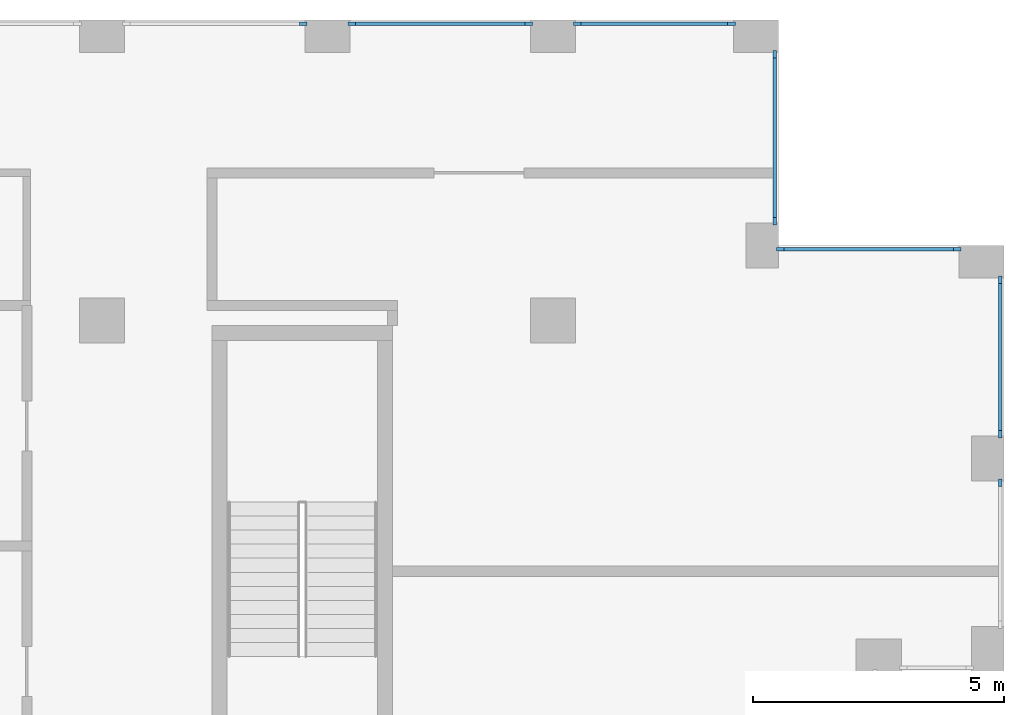
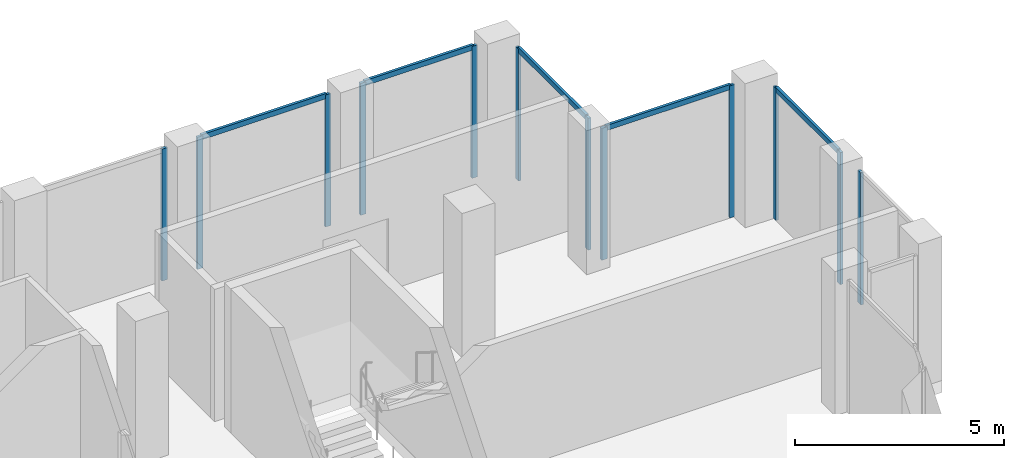
# One storey, part 9 of 15: 17 members, 7 elements without a shape of their own.
"""IFC4 building model written with IfcOpenShell, lengths in metres."""

from ifc_helpers import new_model, si_unit, direction, frame, origin, origin_2d, place, context, subcontext, project, spatial, rectangle, extrude, material, layer, layer_set, material_profile, profile_set, type_object, element, aggregate, save


model = new_model("IFC4")

# Units and contexts
model_context = context("Model", 3, precision=1e-05, world=origin(), true_north=direction((0.0, 1.0)))
body_context = subcontext(model_context, "Body", "Model", "MODEL_VIEW")
ifc_project = project(units=[si_unit("LENGTHUNIT", "METRE"), si_unit("AREAUNIT", "SQUARE_METRE"), si_unit("VOLUMEUNIT", "CUBIC_METRE"), si_unit("PLANEANGLEUNIT", "RADIAN"), si_unit("MASSUNIT", "GRAM", prefix="KILO")], contexts=[model_context])

# Site, building, storey
site_placement = place(None, origin())
site = spatial("IfcSite", under=ifc_project, at=site_placement, CompositionType="ELEMENT")
building_placement = place(site_placement, origin())
building = spatial("IfcBuilding", under=site, at=building_placement, Name="Brigalow Station Residences", CompositionType="ELEMENT")
storey_placement = place(building_placement, frame((0.0, 0.0, 235.800048828125)))
storey = spatial("IfcBuildingStorey", under=building, at=storey_placement, Name="L68", CompositionType="ELEMENT", Elevation=235.800048828125)

# Curtain wall, member
ifc_material_1 = material(Name="Aluminium", Category="aluminium")
ifc_layer = layer(ifc_material_1, 0.14990234375)
ifc_layer_set = layer_set([ifc_layer], Name="CROWN CURTAIN WALL")
curtain_wall_type = type_object("IfcCurtainWallType", Name="CROWN CURTAIN WALL", PredefinedType="NOTDEFINED", material=ifc_layer_set)
curtain_wall_1_placement = place(storey_placement, origin())
curtain_wall_1 = element("IfcCurtainWall", 1, at=curtain_wall_1_placement, inside=storey, type_object=curtain_wall_type, Name="L68/cw/crown-W-L68-16-15", PredefinedType="NOTDEFINED")
ifc_material_2 = material(Name="Aluminium", Category="aluminium")
ifc_material_profile_1 = material_profile(ifc_material_2, rectangle(XDim=0.074951171875, YDim=0.14990234375, at=origin_2d()), Name="CROWN MULLION 75x150")
ifc_profile_set_1 = profile_set([ifc_material_profile_1], Name="Aluminium")
member_type_1 = type_object("IfcMemberType", Name="CROWN MULLION 75x150", PredefinedType="MULLION", material=ifc_profile_set_1)
member_1_placement = place(storey_placement, frame((71.925048828125, 32.262451171875, 0.0), z_axis=(0.0, 0.0, 1.0), x_axis=(-1.0, 0.0, 0.0)))
member_1 = element("IfcMember", 2, at=member_1_placement, type_object=member_type_1, Name="L68/cw/crown-W-L68-16-15/M01", PredefinedType="MULLION", context=body_context, shape_type="SweptSolid", body=[
    extrude(rectangle(XDim=0.074951171875, YDim=0.14990234375, at=origin_2d()), origin(), (0.0, 0.0, 1.0), 3.849853515625),
])
aggregate(curtain_wall_1, [member_1])

# Curtain wall, members
curtain_wall_2_placement = place(storey_placement, origin())
curtain_wall_2 = element("IfcCurtainWall", 3, at=curtain_wall_2_placement, inside=storey, type_object=curtain_wall_type, Name="L68/cw/crown-W-L68-16-16", PredefinedType="NOTDEFINED")
member_2_placement = place(storey_placement, frame((71.925048828125, 33.237548828125, 0.0), z_axis=(0.0, 0.0, 1.0), x_axis=(-1.0, 0.0, 0.0)))
member_2 = element("IfcMember", 4, at=member_2_placement, type_object=member_type_1, Name="L68/cw/crown-W-L68-16-16/M00", PredefinedType="MULLION", context=body_context, shape_type="SweptSolid", body=[
    extrude(rectangle(XDim=0.074951171875, YDim=0.14990234375, at=origin_2d()), origin(), (0.0, 0.0, 1.0), 3.849853515625),
])
member_3_placement = place(storey_placement, frame((71.925048828125, 36.3125, 0.0), z_axis=(0.0, 0.0, 1.0), x_axis=(-1.0, 0.0, 0.0)))
member_3 = element("IfcMember", 5, at=member_3_placement, type_object=member_type_1, Name="L68/cw/crown-W-L68-16-16/M01", PredefinedType="MULLION", context=body_context, shape_type="SweptSolid", body=[
    extrude(rectangle(XDim=0.074951171875, YDim=0.14990234375, at=origin_2d()), origin(), (0.0, 0.0, 1.0), 3.849853515625),
])

curtain_wall_3_placement = place(storey_placement, origin())
curtain_wall_3 = element("IfcCurtainWall", 6, at=curtain_wall_3_placement, inside=storey, type_object=curtain_wall_type, Name="L68/cw/crown-W-L68-18-17", PredefinedType="NOTDEFINED")
member_4_placement = place(storey_placement, frame((71.0625, 36.925048828125, 0.0), z_axis=(0.0, 0.0, 1.0), x_axis=(0.0, -1.0, 0.0)))
member_4 = element("IfcMember", 7, at=member_4_placement, type_object=member_type_1, Name="L68/cw/crown-W-L68-18-17/M00", PredefinedType="MULLION", context=body_context, shape_type="SweptSolid", body=[
    extrude(rectangle(XDim=0.074951171875, YDim=0.14990234375, at=origin_2d()), origin(), (0.0, 0.0, 1.0), 3.849853515625),
])
member_5_placement = place(storey_placement, frame((67.53759765625, 36.925048828125, 0.0), z_axis=(0.0, 0.0, 1.0), x_axis=(0.0, -1.0, 0.0)))
member_5 = element("IfcMember", 8, at=member_5_placement, type_object=member_type_1, Name="L68/cw/crown-W-L68-18-17/M01", PredefinedType="MULLION", context=body_context, shape_type="SweptSolid", body=[
    extrude(rectangle(XDim=0.074951171875, YDim=0.14990234375, at=origin_2d()), origin(), (0.0, 0.0, 1.0), 3.849853515625),
])

curtain_wall_4_placement = place(storey_placement, origin())
curtain_wall_4 = element("IfcCurtainWall", 9, at=curtain_wall_4_placement, inside=storey, type_object=curtain_wall_type, Name="L68/cw/crown-W-L68-19-18", PredefinedType="NOTDEFINED")
member_6_placement = place(storey_placement, frame((67.425048828125, 37.487548828125, 0.0), z_axis=(0.0, 0.0, 1.0), x_axis=(-1.0, 0.0, 0.0)))
member_6 = element("IfcMember", 10, at=member_6_placement, type_object=member_type_1, Name="L68/cw/crown-W-L68-19-18/M00", PredefinedType="MULLION", context=body_context, shape_type="SweptSolid", body=[
    extrude(rectangle(XDim=0.074951171875, YDim=0.14990234375, at=origin_2d()), origin(), (0.0, 0.0, 1.0), 3.849853515625),
])
member_7_placement = place(storey_placement, frame((67.425048828125, 40.8125, 0.0), z_axis=(0.0, 0.0, 1.0), x_axis=(-1.0, 0.0, 0.0)))
member_7 = element("IfcMember", 11, at=member_7_placement, type_object=member_type_1, Name="L68/cw/crown-W-L68-19-18/M01", PredefinedType="MULLION", context=body_context, shape_type="SweptSolid", body=[
    extrude(rectangle(XDim=0.074951171875, YDim=0.14990234375, at=origin_2d()), origin(), (0.0, 0.0, 1.0), 3.849853515625),
])

curtain_wall_5_placement = place(storey_placement, origin())
curtain_wall_5 = element("IfcCurtainWall", 12, at=curtain_wall_5_placement, inside=storey, type_object=curtain_wall_type, Name="L68/cw/crown-W-L68-20-19", PredefinedType="NOTDEFINED")
member_8_placement = place(storey_placement, frame((66.5625, 41.425048828125, 0.0), z_axis=(0.0, 0.0, 1.0), x_axis=(0.0, -1.0, 0.0)))
member_8 = element("IfcMember", 13, at=member_8_placement, type_object=member_type_1, Name="L68/cw/crown-W-L68-20-19/M00", PredefinedType="MULLION", context=body_context, shape_type="SweptSolid", body=[
    extrude(rectangle(XDim=0.074951171875, YDim=0.14990234375, at=origin_2d()), origin(), (0.0, 0.0, 1.0), 3.849853515625),
])
member_9_placement = place(storey_placement, frame((63.487548828125, 41.425048828125, 0.0), z_axis=(0.0, 0.0, 1.0), x_axis=(0.0, -1.0, 0.0)))
member_9 = element("IfcMember", 14, at=member_9_placement, type_object=member_type_1, Name="L68/cw/crown-W-L68-20-19/M01", PredefinedType="MULLION", context=body_context, shape_type="SweptSolid", body=[
    extrude(rectangle(XDim=0.074951171875, YDim=0.14990234375, at=origin_2d()), origin(), (0.0, 0.0, 1.0), 3.849853515625),
])

curtain_wall_6_placement = place(storey_placement, origin())
curtain_wall_6 = element("IfcCurtainWall", 15, at=curtain_wall_6_placement, inside=storey, type_object=curtain_wall_type, Name="L68/cw/crown-W-L68-20-20", PredefinedType="NOTDEFINED")
member_10_placement = place(storey_placement, frame((62.512451171875, 41.425048828125, 0.0), z_axis=(0.0, 0.0, 1.0), x_axis=(0.0, -1.0, 0.0)))
member_10 = element("IfcMember", 16, at=member_10_placement, type_object=member_type_1, Name="L68/cw/crown-W-L68-20-20/M00", PredefinedType="MULLION", context=body_context, shape_type="SweptSolid", body=[
    extrude(rectangle(XDim=0.074951171875, YDim=0.14990234375, at=origin_2d()), origin(), (0.0, 0.0, 1.0), 3.849853515625),
])
member_11_placement = place(storey_placement, frame((58.987548828125, 41.425048828125, 0.0), z_axis=(0.0, 0.0, 1.0), x_axis=(0.0, -1.0, 0.0)))
member_11 = element("IfcMember", 17, at=member_11_placement, type_object=member_type_1, Name="L68/cw/crown-W-L68-20-20/M01", PredefinedType="MULLION", context=body_context, shape_type="SweptSolid", body=[
    extrude(rectangle(XDim=0.074951171875, YDim=0.14990234375, at=origin_2d()), origin(), (0.0, 0.0, 1.0), 3.849853515625),
])

# Curtain wall, member
curtain_wall_7_placement = place(storey_placement, origin())
curtain_wall_7 = element("IfcCurtainWall", 18, at=curtain_wall_7_placement, inside=storey, type_object=curtain_wall_type, Name="L68/cw/crown-W-L68-20-21", PredefinedType="NOTDEFINED")
member_12_placement = place(storey_placement, frame((58.012451171875, 41.425048828125, 0.0), z_axis=(0.0, 0.0, 1.0), x_axis=(0.0, -1.0, 0.0)))
member_12 = element("IfcMember", 19, at=member_12_placement, type_object=member_type_1, Name="L68/cw/crown-W-L68-20-21/M00", PredefinedType="MULLION", context=body_context, shape_type="SweptSolid", body=[
    extrude(rectangle(XDim=0.074951171875, YDim=0.14990234375, at=origin_2d()), origin(), (0.0, 0.0, 1.0), 3.849853515625),
])
aggregate(curtain_wall_7, [member_12])

# Member
ifc_material_3 = material(Name="Aluminium", Category="aluminium")
ifc_material_profile_2 = material_profile(ifc_material_3, rectangle(XDim=0.074951171875, YDim=0.14990234375, at=origin_2d()), Name="CROWN TRANSOM 75x150")
ifc_profile_set_2 = profile_set([ifc_material_profile_2], Name="Aluminium")
member_type_2 = type_object("IfcMemberType", Name="CROWN TRANSOM 75x150", PredefinedType="USERDEFINED", material=ifc_profile_set_2)
member_13_placement = place(storey_placement, frame((71.925048828125, 33.27490234375, 3.8125), z_axis=(0.0, 1.0, 0.0), x_axis=(-1.0, 0.0, 0.0)))
member_13 = element("IfcMember", 20, at=member_13_placement, type_object=member_type_2, Name="L68/cw/crown-W-L68-16-16/T00-00", ObjectType="TRANSOM", PredefinedType="USERDEFINED", context=body_context, shape_type="SweptSolid", body=[
    extrude(rectangle(XDim=0.074951171875, YDim=0.14990234375, at=origin_2d()), origin(), (0.0, 0.0, 1.0), 3.0),
])

aggregate(curtain_wall_2, [member_2, member_3, member_13])

member_14_placement = place(storey_placement, frame((71.02490234375, 36.925048828125, 3.8125), z_axis=(-1.0, 0.0, 0.0), x_axis=(0.0, -1.0, 0.0)))
member_14 = element("IfcMember", 21, at=member_14_placement, type_object=member_type_2, Name="L68/cw/crown-W-L68-18-17/T00-00", ObjectType="TRANSOM", PredefinedType="USERDEFINED", context=body_context, shape_type="SweptSolid", body=[
    extrude(rectangle(XDim=0.074951171875, YDim=0.14990234375, at=origin_2d()), origin(), (0.0, 0.0, 1.0), 3.449951171875),
])

aggregate(curtain_wall_3, [member_4, member_5, member_14])

member_15_placement = place(storey_placement, frame((67.425048828125, 37.52490234375, 3.8125), z_axis=(0.0, 1.0, 0.0), x_axis=(-1.0, 0.0, 0.0)))
member_15 = element("IfcMember", 22, at=member_15_placement, type_object=member_type_2, Name="L68/cw/crown-W-L68-19-18/T00-00", ObjectType="TRANSOM", PredefinedType="USERDEFINED", context=body_context, shape_type="SweptSolid", body=[
    extrude(rectangle(XDim=0.074951171875, YDim=0.14990234375, at=origin_2d()), origin(), (0.0, 0.0, 1.0), 3.25),
])

aggregate(curtain_wall_4, [member_6, member_7, member_15])

member_16_placement = place(storey_placement, frame((66.52490234375, 41.425048828125, 3.8125), z_axis=(-1.0, 0.0, 0.0), x_axis=(0.0, -1.0, 0.0)))
member_16 = element("IfcMember", 23, at=member_16_placement, type_object=member_type_2, Name="L68/cw/crown-W-L68-20-19/T00-00", ObjectType="TRANSOM", PredefinedType="USERDEFINED", context=body_context, shape_type="SweptSolid", body=[
    extrude(rectangle(XDim=0.074951171875, YDim=0.14990234375, at=origin_2d()), origin(), (0.0, 0.0, 1.0), 3.0),
])

aggregate(curtain_wall_5, [member_8, member_9, member_16])

member_17_placement = place(storey_placement, frame((62.47509765625, 41.425048828125, 3.8125), z_axis=(-1.0, 0.0, 0.0), x_axis=(0.0, -1.0, 0.0)))
member_17 = element("IfcMember", 24, at=member_17_placement, type_object=member_type_2, Name="L68/cw/crown-W-L68-20-20/T00-00", ObjectType="TRANSOM", PredefinedType="USERDEFINED", context=body_context, shape_type="SweptSolid", body=[
    extrude(rectangle(XDim=0.074951171875, YDim=0.14990234375, at=origin_2d()), origin(), (0.0, 0.0, 1.0), 3.4501953125),
])

aggregate(curtain_wall_6, [member_10, member_11, member_17])

save(model, "model.ifc")
